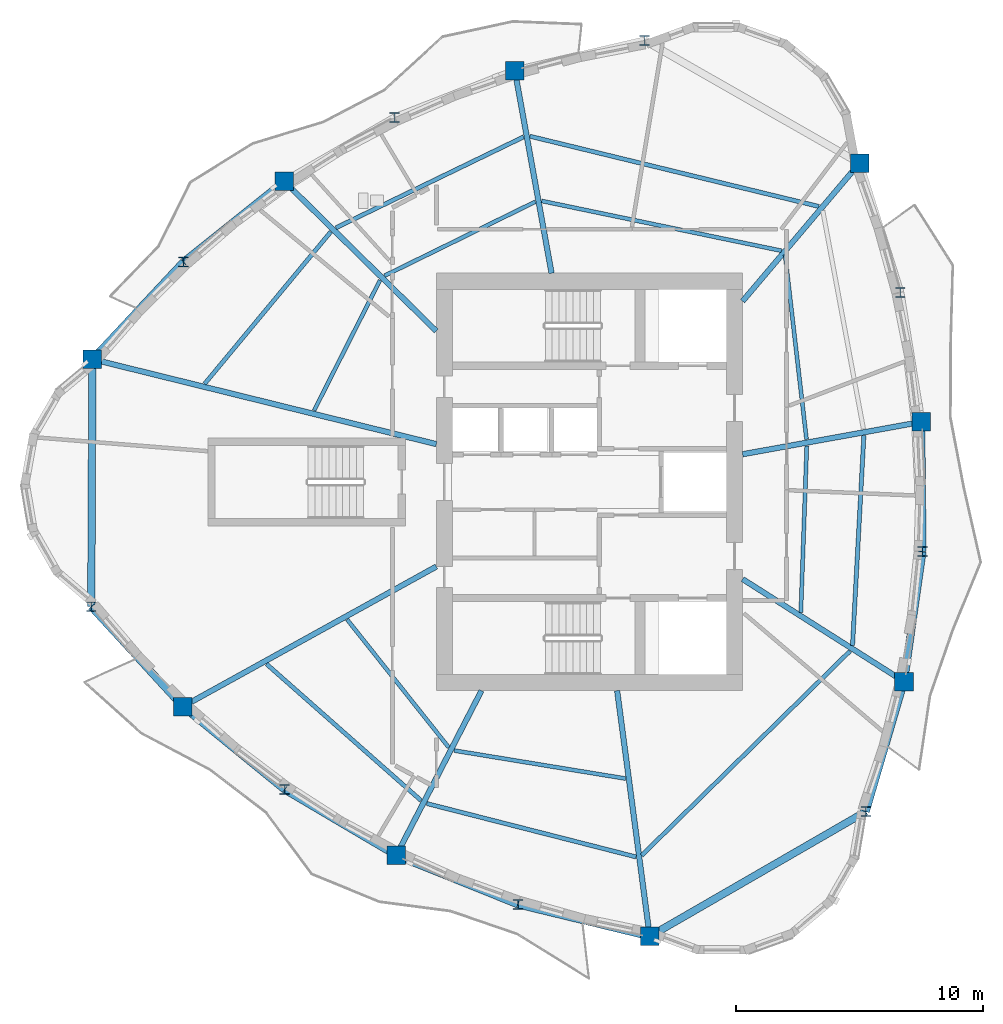
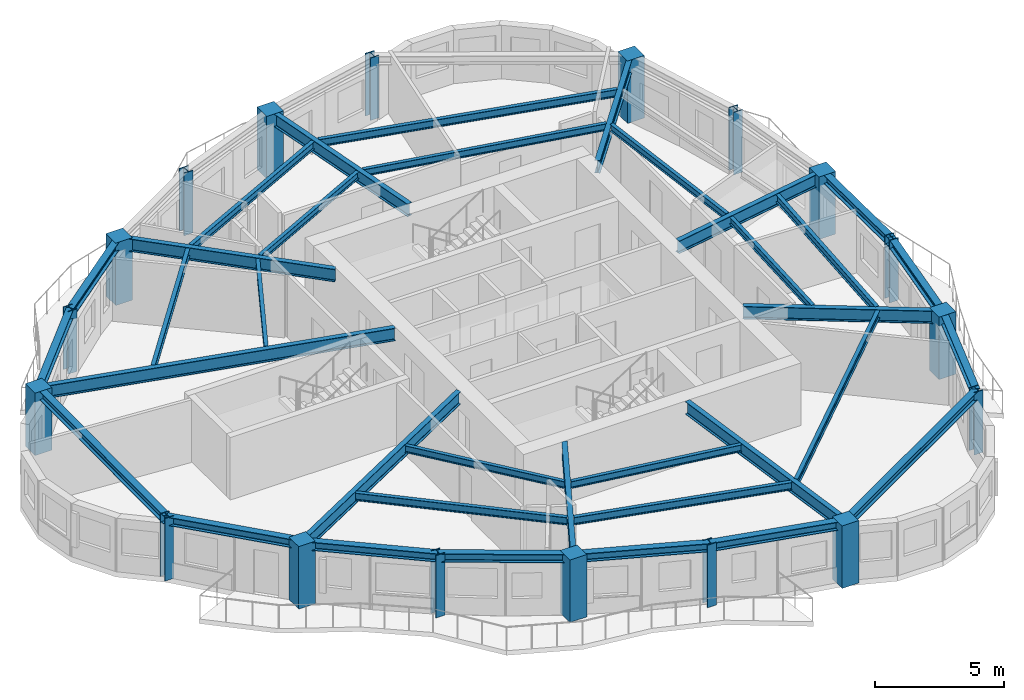
# One storey, part 1 of 11: 35 beams, 18 columns.
"""IFC4 building model written with IfcOpenShell, lengths in metres."""

from ifc_helpers import new_model, si_unit, direction, frame, origin, origin_2d, place, context, subcontext, project, spatial, rectangle, i_section, extrude, source, transform, mapped, material, material_profile, profile_set, type_object, element, save


model = new_model("IFC4")

# Units and contexts
model_context = context("Model", 3, precision=1e-05, world=origin(), true_north=direction((0.0, 1.0)))
body_context = subcontext(model_context, "Body", "Model", "MODEL_VIEW")
ifc_project = project(units=[si_unit("LENGTHUNIT", "METRE"), si_unit("AREAUNIT", "SQUARE_METRE"), si_unit("VOLUMEUNIT", "CUBIC_METRE"), si_unit("PLANEANGLEUNIT", "RADIAN"), si_unit("MASSUNIT", "GRAM", prefix="KILO")], contexts=[model_context])

# Site, building, storey
site_placement = place(None, origin())
site = spatial("IfcSite", under=ifc_project, at=site_placement, CompositionType="ELEMENT")
building_placement = place(site_placement, origin())
building = spatial("IfcBuilding", under=site, at=building_placement, Name="Qafzar Sky-Pleat Residences", CompositionType="ELEMENT")
storey_placement = place(building_placement, frame((0.0, 0.0, 168.199951171875)))
storey = spatial("IfcBuildingStorey", under=building, at=storey_placement, Name="L50", CompositionType="ELEMENT", Elevation=168.199951171875)

# Columns
ifc_material_1 = material(Name="Concrete C60/75", Category="concrete")
ifc_material_profile_1 = material_profile(ifc_material_1, rectangle(XDim=0.75, YDim=0.75, at=origin_2d()), Name="RC 750x750")
ifc_profile_set_1 = profile_set([ifc_material_profile_1], Name="Concrete C60/75")
column_type_1 = type_object("IfcColumnType", Name="COL-RC-750", PredefinedType="COLUMN", material=ifc_profile_set_1)
shared_shape_1 = source(origin(), body_context, "Body", "SweptSolid", [
    extrude(rectangle(XDim=0.75, YDim=0.75, at=origin_2d()), origin(), (0.0, 0.0, 1.0), 2.949951171875),
])
for number, where, z_axis, x_axis, name in (
    (1, (10.228515625, 30.96728515625, 0.0), (0.0, 0.0, 1.0), (1.0, 0.0, 0.0), "L50 Perimeter Mega Column 1"),
    (2, (13.890380859375, 16.905517578125, 0.0), (0.0, 0.0, 1.0), (1.0, 0.0, 0.0), "L50 Perimeter Mega Column 3"),
    (3, (22.528564453125, 10.879150390625, 0.0), (0.0, 0.0, 1.0), (1.0, 0.0, 0.0), "L50 Perimeter Mega Column 5"),
    (4, (32.789794921875, 7.602294921875, 0.0), (0.0, 0.0, 1.0), (1.0, 0.0, 0.0), "L50 Perimeter Mega Column 7"),
    (5, (43.08349609375, 17.91943359375, 0.0), (0.0, 0.0, 1.0), (1.0, 0.0, 0.0), "L50 Perimeter Mega Column 9"),
    (6, (43.77978515625, 28.428955078125, 0.0), (0.0, 0.0, 1.0), (1.0, 0.0, 0.0), "L50 Perimeter Mega Column 11"),
    (7, (41.28369140625, 38.907470703125, 0.0), (0.0, 0.0, 1.0), (1.0, 0.0, 0.0), "L50 Perimeter Mega Column 13"),
    (8, (27.328125, 42.652099609375, 0.0), (0.0, 0.0, 1.0), (1.0, 0.0, 0.0), "L50 Perimeter Mega Column 15"),
    (9, (17.99365234375, 38.168701171875, 0.0), (0.0, 0.0, 1.0), (1.0, 0.0, 0.0), "L50 Perimeter Mega Column 17"),
):
    element("IfcColumn", number, at=place(storey_placement, frame(where, z_axis=z_axis, x_axis=x_axis)), inside=storey, type_object=column_type_1, Name=name, PredefinedType="COLUMN", context=body_context, shape_type="MappedRepresentation", body=[
        mapped(shared_shape_1, transform((0.0, 0.0, 0.0), x_axis=(1.0, 0.0, 0.0), y_axis=(0.0, 1.0, 0.0), z_axis=(0.0, 0.0, 1.0), scale=1.0)),
    ])
ifc_material_2 = material(Name="Steel S355", Category="steel")
ifc_material_profile_2 = material_profile(ifc_material_2, i_section(OverallWidth=0.40087890625, OverallDepth=0.39892578125, WebThickness=0.02294921875, FlangeThickness=0.035888671875, FilletRadius=0.014892578125, at=origin_2d()), Name="HD 400x314")
ifc_profile_set_2 = profile_set([ifc_material_profile_2], Name="Steel S355")
column_type_2 = type_object("IfcColumnType", Name="COL-STL-HD314", PredefinedType="PILASTER", material=ifc_profile_set_2)
shared_shape_2 = source(origin(), body_context, "Body", "SweptSolid", [
    extrude(i_section(OverallWidth=0.40087890625, OverallDepth=0.39892578125, WebThickness=0.02294921875, FlangeThickness=0.035888671875, FilletRadius=0.014892578125, at=origin_2d()), origin(), (0.0, 0.0, 1.0), 2.949951171875),
])
for number, where, z_axis, x_axis, name in (
    (10, (10.179931640625, 20.94970703125, 0.0), (0.0, 0.0, 1.0), (1.0, 0.0, 0.0), "L50 Perimeter Mega Column 2"),
    (11, (18.006591796875, 13.548583984375, 0.0), (0.0, 0.0, 1.0), (1.0, 0.0, 0.0), "L50 Perimeter Mega Column 4"),
    (12, (27.456298828125, 8.897216796875, 0.0), (0.0, 0.0, 1.0), (1.0, 0.0, 0.0), "L50 Perimeter Mega Column 6"),
    (13, (41.5380859375, 12.653076171875, 0.0), (0.0, 0.0, 1.0), (1.0, 0.0, 0.0), "L50 Perimeter Mega Column 8"),
    (14, (43.830810546875, 23.177978515625, 0.0), (0.0, 0.0, 1.0), (1.0, 0.0, 0.0), "L50 Perimeter Mega Column 10"),
    (15, (42.930908203125, 33.672119140625, 0.0), (0.0, 0.0, 1.0), (1.0, 0.0, 0.0), "L50 Perimeter Mega Column 12"),
    (16, (32.583984375, 43.874267578125, 0.0), (0.0, 0.0, 1.0), (1.0, 0.0, 0.0), "L50 Perimeter Mega Column 14"),
    (17, (22.464599609375, 40.750244140625, 0.0), (0.0, 0.0, 1.0), (1.0, 0.0, 0.0), "L50 Perimeter Mega Column 16"),
    (18, (13.914794921875, 34.90771484375, 0.0), (0.0, 0.0, 1.0), (1.0, 0.0, 0.0), "L50 Perimeter Mega Column 18"),
):
    element("IfcColumn", number, at=place(storey_placement, frame(where, z_axis=z_axis, x_axis=x_axis)), inside=storey, type_object=column_type_2, Name=name, PredefinedType="PILASTER", context=body_context, shape_type="MappedRepresentation", body=[
        mapped(shared_shape_2, transform((0.0, 0.0, 0.0), x_axis=(1.0, 0.0, 0.0), y_axis=(0.0, 1.0, 0.0), z_axis=(0.0, 0.0, 1.0), scale=1.0)),
    ])

# Beams
ifc_material_profile_3 = material_profile(ifc_material_2, i_section(OverallWidth=0.300048828125, OverallDepth=0.39990234375, WebThickness=0.013427734375, FlangeThickness=0.02392578125, FilletRadius=0.027099609375, at=origin_2d()), Name="HEB 400")
ifc_profile_set_3 = profile_set([ifc_material_profile_3], Name="Steel S355")
beam_type_1 = type_object("IfcBeamType", Name="BM-SPAN-HEB400", PredefinedType="SPANDREL", material=ifc_profile_set_3)
shared_shape_3 = source(origin(), body_context, "Body", "SweptSolid", [
    extrude(i_section(OverallWidth=0.300048828125, OverallDepth=0.39990234375, WebThickness=0.013427734375, FlangeThickness=0.02392578125, FilletRadius=0.027099609375, at=origin_2d()), origin(), (0.0, 0.0, 1.0), 10.017578125),
])
beam_1_placement = place(storey_placement, frame((10.228515625, 30.96728515625, 2.748046875), z_axis=(-0.004849816233, -0.999988239572, 0.0), x_axis=(0.999988239572, -0.004849816233, 0.0)))
element("IfcBeam", 19, at=beam_1_placement, inside=storey, type_object=beam_type_1, Name="L50 Perimeter Spandrel Beam 1", PredefinedType="SPANDREL", context=body_context, shape_type="MappedRepresentation", body=[
    mapped(shared_shape_3, transform((0.0, 0.0, 0.0), x_axis=(1.0, 0.0, 0.0), y_axis=(0.0, 1.0, 0.0), z_axis=(0.0, 0.0, 1.0), scale=1.0)),
])
shared_shape_4 = source(origin(), body_context, "Body", "SweptSolid", [
    extrude(i_section(OverallWidth=0.300048828125, OverallDepth=0.39990234375, WebThickness=0.013427734375, FlangeThickness=0.02392578125, FilletRadius=0.027099609375, at=origin_2d()), origin(), (0.0, 0.0, 1.0), 5.488525390625),
])
for number, where, z_axis, x_axis, name in (
    (20, (10.179931640625, 20.94970703125, 2.748046875), (0.676048867567, -0.736856789791, 0.0), (0.736856789791, 0.676048867567, 0.0), "L50 Perimeter Spandrel Beam 2"),
    (21, (27.456298828125, 8.897216796875, 2.748046875), (0.971768566723, -0.235936120017, 0.0), (0.235936120017, 0.971768566723, 0.0), "L50 Perimeter Spandrel Beam 6"),
    (22, (41.5380859375, 12.653076171875, 2.748046875), (0.281576235799, 0.959538859783, 0.0), (-0.959538859783, 0.281576235799, 0.0), "L50 Perimeter Spandrel Beam 8"),
):
    element("IfcBeam", number, at=place(storey_placement, frame(where, z_axis=z_axis, x_axis=x_axis)), inside=storey, type_object=beam_type_1, Name=name, PredefinedType="SPANDREL", context=body_context, shape_type="MappedRepresentation", body=[
        mapped(shared_shape_4, transform((0.0, 0.0, 0.0), x_axis=(1.0, 0.0, 0.0), y_axis=(0.0, 1.0, 0.0), z_axis=(0.0, 0.0, 1.0), scale=1.0)),
    ])
shared_shape_5 = source(origin(), body_context, "Body", "SweptSolid", [
    extrude(i_section(OverallWidth=0.300048828125, OverallDepth=0.39990234375, WebThickness=0.013427734375, FlangeThickness=0.02392578125, FilletRadius=0.027099609375, at=origin_2d()), origin(), (0.0, 0.0, 1.0), 5.3115234375),
])
beam_2_placement = place(storey_placement, frame((13.890380859375, 16.905517578125, 2.748046875), z_axis=(0.774959807664, -0.632010519299, 0.0), x_axis=(0.632010519299, 0.774959807664, 0.0)))
element("IfcBeam", 23, at=beam_2_placement, inside=storey, type_object=beam_type_1, Name="L50 Perimeter Spandrel Beam 3", PredefinedType="SPANDREL", context=body_context, shape_type="MappedRepresentation", body=[
    mapped(shared_shape_5, transform((0.0, 0.0, 0.0), x_axis=(1.0, 0.0, 0.0), y_axis=(0.0, 1.0, 0.0), z_axis=(0.0, 0.0, 1.0), scale=1.0)),
])
shared_shape_6 = source(origin(), body_context, "Body", "SweptSolid", [
    extrude(i_section(OverallWidth=0.300048828125, OverallDepth=0.39990234375, WebThickness=0.013427734375, FlangeThickness=0.02392578125, FilletRadius=0.027099609375, at=origin_2d()), origin(), (0.0, 0.0, 1.0), 5.251220703125),
])
for number, where, z_axis, x_axis, name in (
    (24, (18.006591796875, 13.548583984375, 2.748046875), (0.861146738324, -0.508356464574, 0.0), (0.508356464574, 0.861146738324, 0.0), "L50 Perimeter Spandrel Beam 4"),
    (25, (43.830810546875, 23.177978515625, 2.748046875), (-0.009716855736, 0.999952790243, 0.0), (-0.999952790243, -0.009716855736, 0.0), "L50 Perimeter Spandrel Beam 10"),
):
    element("IfcBeam", number, at=place(storey_placement, frame(where, z_axis=z_axis, x_axis=x_axis)), inside=storey, type_object=beam_type_1, Name=name, PredefinedType="SPANDREL", context=body_context, shape_type="MappedRepresentation", body=[
        mapped(shared_shape_6, transform((0.0, 0.0, 0.0), x_axis=(1.0, 0.0, 0.0), y_axis=(0.0, 1.0, 0.0), z_axis=(0.0, 0.0, 1.0), scale=1.0)),
    ])
shared_shape_7 = source(origin(), body_context, "Body", "SweptSolid", [
    extrude(i_section(OverallWidth=0.300048828125, OverallDepth=0.39990234375, WebThickness=0.013427734375, FlangeThickness=0.02392578125, FilletRadius=0.027099609375, at=origin_2d()), origin(), (0.0, 0.0, 1.0), 5.311279296875),
])
for number, where, z_axis, x_axis, name in (
    (26, (22.528564453125, 10.879150390625, 2.748046875), (0.927771273555, -0.373149385589, 0.0), (0.373149385589, 0.927771273555, 0.0), "L50 Perimeter Spandrel Beam 5"),
    (27, (43.08349609375, 17.91943359375, 2.748046875), (0.140700578777, 0.990052194145, 0.0), (-0.990052194145, 0.140700578777, 0.0), "L50 Perimeter Spandrel Beam 9"),
):
    element("IfcBeam", number, at=place(storey_placement, frame(where, z_axis=z_axis, x_axis=x_axis)), inside=storey, type_object=beam_type_1, Name=name, PredefinedType="SPANDREL", context=body_context, shape_type="MappedRepresentation", body=[
        mapped(shared_shape_7, transform((0.0, 0.0, 0.0), x_axis=(1.0, 0.0, 0.0), y_axis=(0.0, 1.0, 0.0), z_axis=(0.0, 0.0, 1.0), scale=1.0)),
    ])
shared_shape_8 = source(origin(), body_context, "Body", "SweptSolid", [
    extrude(i_section(OverallWidth=0.300048828125, OverallDepth=0.39990234375, WebThickness=0.013427734375, FlangeThickness=0.02392578125, FilletRadius=0.027099609375, at=origin_2d()), origin(), (0.0, 0.0, 1.0), 10.1015625),
])
beam_3_placement = place(storey_placement, frame((32.789794921875, 7.602294921875, 2.748046875), z_axis=(0.866027415153, 0.499996516191, 0.0), x_axis=(-0.499996516191, 0.866027415153, 0.0)))
element("IfcBeam", 28, at=beam_3_placement, inside=storey, type_object=beam_type_1, Name="L50 Perimeter Spandrel Beam 7", PredefinedType="SPANDREL", context=body_context, shape_type="MappedRepresentation", body=[
    mapped(shared_shape_8, transform((0.0, 0.0, 0.0), x_axis=(1.0, 0.0, 0.0), y_axis=(0.0, 1.0, 0.0), z_axis=(0.0, 0.0, 1.0), scale=1.0)),
])
shared_shape_9 = source(origin(), body_context, "Body", "SweptSolid", [
    extrude(i_section(OverallWidth=0.300048828125, OverallDepth=0.39990234375, WebThickness=0.013427734375, FlangeThickness=0.02392578125, FilletRadius=0.027099609375, at=origin_2d()), origin(), (0.0, 0.0, 1.0), 5.39599609375),
])
beam_4_placement = place(storey_placement, frame((13.914794921875, 34.90771484375, 2.748046875), z_axis=(-0.683164134037, -0.730264860147, 0.0), x_axis=(0.730264860147, -0.683164134037, 0.0)))
element("IfcBeam", 29, at=beam_4_placement, inside=storey, type_object=beam_type_1, Name="L50 Perimeter Spandrel Beam 18", PredefinedType="SPANDREL", context=body_context, shape_type="MappedRepresentation", body=[
    mapped(shared_shape_9, transform((0.0, 0.0, 0.0), x_axis=(1.0, 0.0, 0.0), y_axis=(0.0, 1.0, 0.0), z_axis=(0.0, 0.0, 1.0), scale=1.0)),
])
shared_shape_10 = source(origin(), body_context, "Body", "SweptSolid", [
    extrude(i_section(OverallWidth=0.300048828125, OverallDepth=0.39990234375, WebThickness=0.013427734375, FlangeThickness=0.02392578125, FilletRadius=0.027099609375, at=origin_2d()), origin(), (0.0, 0.0, 1.0), 5.22216796875),
])
beam_5_placement = place(storey_placement, frame((17.99365234375, 38.168701171875, 2.748046875), z_axis=(-0.781064896086, -0.624449860359, 0.0), x_axis=(0.624449860359, -0.781064896086, 0.0)))
element("IfcBeam", 30, at=beam_5_placement, inside=storey, type_object=beam_type_1, Name="L50 Perimeter Spandrel Beam 17", PredefinedType="SPANDREL", context=body_context, shape_type="MappedRepresentation", body=[
    mapped(shared_shape_10, transform((0.0, 0.0, 0.0), x_axis=(1.0, 0.0, 0.0), y_axis=(0.0, 1.0, 0.0), z_axis=(0.0, 0.0, 1.0), scale=1.0)),
])
ifc_material_profile_4 = material_profile(ifc_material_2, i_section(OverallWidth=0.219970703125, OverallDepth=0.60009765625, WebThickness=0.011962890625, FlangeThickness=0.01904296875, FilletRadius=0.02392578125, at=origin_2d()), Name="IPE 600")
ifc_profile_set_4 = profile_set([ifc_material_profile_4], Name="Steel S355")
beam_type_2 = type_object("IfcBeamType", Name="BM-SEC-IPE600", PredefinedType="BEAM", material=ifc_profile_set_4)
shared_shape_11 = source(origin(), body_context, "Body", "SweptSolid", [
    extrude(i_section(OverallWidth=0.219970703125, OverallDepth=0.60009765625, WebThickness=0.011962890625, FlangeThickness=0.01904296875, FilletRadius=0.02392578125, at=origin_2d()), origin(), (0.0, 0.0, 1.0), 14.33935546875),
])
beam_6_placement = place(storey_placement, frame((10.228515625, 30.96728515625, 2.64794921875), z_axis=(0.970853373053, -0.239674212277, 0.0), x_axis=(0.239674212277, 0.970853373053, 0.0)))
element("IfcBeam", 31, at=beam_6_placement, inside=storey, type_object=beam_type_2, Name="L50 Radial Floor Girder 1", PredefinedType="BEAM", context=body_context, shape_type="MappedRepresentation", body=[
    mapped(shared_shape_11, transform((0.0, 0.0, 0.0), x_axis=(1.0, 0.0, 0.0), y_axis=(0.0, 1.0, 0.0), z_axis=(0.0, 0.0, 1.0), scale=1.0)),
])
shared_shape_12 = source(origin(), body_context, "Body", "SweptSolid", [
    extrude(i_section(OverallWidth=0.219970703125, OverallDepth=0.60009765625, WebThickness=0.011962890625, FlangeThickness=0.01904296875, FilletRadius=0.02392578125, at=origin_2d()), origin(), (0.0, 0.0, 1.0), 11.721435546875),
])
beam_7_placement = place(storey_placement, frame((13.890380859375, 16.905517578125, 2.64794921875), z_axis=(0.875278891654, 0.483618508563, 0.0), x_axis=(-0.483618508563, 0.875278891654, 0.0)))
element("IfcBeam", 32, at=beam_7_placement, inside=storey, type_object=beam_type_2, Name="L50 Radial Floor Girder 3", PredefinedType="BEAM", context=body_context, shape_type="MappedRepresentation", body=[
    mapped(shared_shape_12, transform((0.0, 0.0, 0.0), x_axis=(1.0, 0.0, 0.0), y_axis=(0.0, 1.0, 0.0), z_axis=(0.0, 0.0, 1.0), scale=1.0)),
])
shared_shape_13 = source(origin(), body_context, "Body", "SweptSolid", [
    extrude(i_section(OverallWidth=0.219970703125, OverallDepth=0.60009765625, WebThickness=0.011962890625, FlangeThickness=0.01904296875, FilletRadius=0.02392578125, at=origin_2d()), origin(), (0.0, 0.0, 1.0), 7.510498046875),
])
beam_8_placement = place(storey_placement, frame((22.528564453125, 10.879150390625, 2.64794921875), z_axis=(0.459420265868, 0.888219015395, 0.0), x_axis=(-0.888219015395, 0.459420265868, 0.0)))
element("IfcBeam", 33, at=beam_8_placement, inside=storey, type_object=beam_type_2, Name="L50 Radial Floor Girder 5", PredefinedType="BEAM", context=body_context, shape_type="MappedRepresentation", body=[
    mapped(shared_shape_13, transform((0.0, 0.0, 0.0), x_axis=(1.0, 0.0, 0.0), y_axis=(0.0, 1.0, 0.0), z_axis=(0.0, 0.0, 1.0), scale=1.0)),
])
shared_shape_14 = source(origin(), body_context, "Body", "SweptSolid", [
    extrude(i_section(OverallWidth=0.219970703125, OverallDepth=0.60009765625, WebThickness=0.011962890625, FlangeThickness=0.01904296875, FilletRadius=0.02392578125, at=origin_2d()), origin(), (0.0, 0.0, 1.0), 10.034912109375),
])
beam_9_placement = place(storey_placement, frame((32.789794921875, 7.602294921875, 2.64794921875), z_axis=(-0.131451336112, 0.991322624696, 0.0), x_axis=(-0.991322624696, -0.131451336112, 0.0)))
element("IfcBeam", 34, at=beam_9_placement, inside=storey, type_object=beam_type_2, Name="L50 Radial Floor Girder 7", PredefinedType="BEAM", context=body_context, shape_type="MappedRepresentation", body=[
    mapped(shared_shape_14, transform((0.0, 0.0, 0.0), x_axis=(1.0, 0.0, 0.0), y_axis=(0.0, 1.0, 0.0), z_axis=(0.0, 0.0, 1.0), scale=1.0)),
])
shared_shape_15 = source(origin(), body_context, "Body", "SweptSolid", [
    extrude(i_section(OverallWidth=0.219970703125, OverallDepth=0.60009765625, WebThickness=0.011962890625, FlangeThickness=0.01904296875, FilletRadius=0.02392578125, at=origin_2d()), origin(), (0.0, 0.0, 1.0), 7.73779296875),
])
beam_10_placement = place(storey_placement, frame((43.08349609375, 17.91943359375, 2.64794921875), z_axis=(-0.84434287058, 0.535803244579, 0.0), x_axis=(-0.535803244579, -0.84434287058, 0.0)))
element("IfcBeam", 35, at=beam_10_placement, inside=storey, type_object=beam_type_2, Name="L50 Radial Floor Girder 9", PredefinedType="BEAM", context=body_context, shape_type="MappedRepresentation", body=[
    mapped(shared_shape_15, transform((0.0, 0.0, 0.0), x_axis=(1.0, 0.0, 0.0), y_axis=(0.0, 1.0, 0.0), z_axis=(0.0, 0.0, 1.0), scale=1.0)),
])
shared_shape_16 = source(origin(), body_context, "Body", "SweptSolid", [
    extrude(i_section(OverallWidth=0.219970703125, OverallDepth=0.60009765625, WebThickness=0.011962890625, FlangeThickness=0.01904296875, FilletRadius=0.02392578125, at=origin_2d()), origin(), (0.0, 0.0, 1.0), 7.346923828125),
])
beam_11_placement = place(storey_placement, frame((43.77978515625, 28.428955078125, 2.64794921875), z_axis=(-0.984034312333, -0.1779788531, 0.0), x_axis=(0.1779788531, -0.984034312333, 0.0)))
element("IfcBeam", 36, at=beam_11_placement, inside=storey, type_object=beam_type_2, Name="L50 Radial Floor Girder 11", PredefinedType="BEAM", context=body_context, shape_type="MappedRepresentation", body=[
    mapped(shared_shape_16, transform((0.0, 0.0, 0.0), x_axis=(1.0, 0.0, 0.0), y_axis=(0.0, 1.0, 0.0), z_axis=(0.0, 0.0, 1.0), scale=1.0)),
])
shared_shape_17 = source(origin(), body_context, "Body", "SweptSolid", [
    extrude(i_section(OverallWidth=0.219970703125, OverallDepth=0.60009765625, WebThickness=0.011962890625, FlangeThickness=0.01904296875, FilletRadius=0.02392578125, at=origin_2d()), origin(), (0.0, 0.0, 1.0), 7.32373046875),
])
beam_12_placement = place(storey_placement, frame((41.28369140625, 38.907470703125, 2.64794921875), z_axis=(-0.646341144155, -0.763048573403, 0.0), x_axis=(0.763048573403, -0.646341144155, 0.0)))
element("IfcBeam", 37, at=beam_12_placement, inside=storey, type_object=beam_type_2, Name="L50 Radial Floor Girder 13", PredefinedType="BEAM", context=body_context, shape_type="MappedRepresentation", body=[
    mapped(shared_shape_17, transform((0.0, 0.0, 0.0), x_axis=(1.0, 0.0, 0.0), y_axis=(0.0, 1.0, 0.0), z_axis=(0.0, 0.0, 1.0), scale=1.0)),
])
shared_shape_18 = source(origin(), body_context, "Body", "SweptSolid", [
    extrude(i_section(OverallWidth=0.219970703125, OverallDepth=0.60009765625, WebThickness=0.011962890625, FlangeThickness=0.01904296875, FilletRadius=0.02392578125, at=origin_2d()), origin(), (0.0, 0.0, 1.0), 8.336181640625),
])
beam_13_placement = place(storey_placement, frame((27.328125, 42.652099609375, 2.64794921875), z_axis=(0.178534917352, -0.983933576664, 0.0), x_axis=(0.983933576664, 0.178534917352, 0.0)))
element("IfcBeam", 38, at=beam_13_placement, inside=storey, type_object=beam_type_2, Name="L50 Radial Floor Girder 15", PredefinedType="BEAM", context=body_context, shape_type="MappedRepresentation", body=[
    mapped(shared_shape_18, transform((0.0, 0.0, 0.0), x_axis=(1.0, 0.0, 0.0), y_axis=(0.0, 1.0, 0.0), z_axis=(0.0, 0.0, 1.0), scale=1.0)),
])
shared_shape_19 = source(origin(), body_context, "Body", "SweptSolid", [
    extrude(i_section(OverallWidth=0.219970703125, OverallDepth=0.60009765625, WebThickness=0.011962890625, FlangeThickness=0.01904296875, FilletRadius=0.02392578125, at=origin_2d()), origin(), (0.0, 0.0, 1.0), 8.640380859375),
])
beam_14_placement = place(storey_placement, frame((17.99365234375, 38.168701171875, 2.64794921875), z_axis=(0.712497054337, -0.701675101141, 0.0), x_axis=(0.701675101141, 0.712497054337, 0.0)))
element("IfcBeam", 39, at=beam_14_placement, inside=storey, type_object=beam_type_2, Name="L50 Radial Floor Girder 17", PredefinedType="BEAM", context=body_context, shape_type="MappedRepresentation", body=[
    mapped(shared_shape_19, transform((0.0, 0.0, 0.0), x_axis=(1.0, 0.0, 0.0), y_axis=(0.0, 1.0, 0.0), z_axis=(0.0, 0.0, 1.0), scale=1.0)),
])
ifc_material_profile_5 = material_profile(ifc_material_2, i_section(OverallWidth=0.169921875, OverallDepth=0.360107421875, WebThickness=0.008056640625, FlangeThickness=0.0126953125, FilletRadius=0.01806640625, at=origin_2d()), Name="IPE 360")
ifc_profile_set_5 = profile_set([ifc_material_profile_5], Name="Steel S355")
beam_type_3 = type_object("IfcBeamType", Name="BM-JST-IPE360", PredefinedType="JOIST", material=ifc_profile_set_5)
shared_shape_20 = source(origin(), body_context, "Body", "SweptSolid", [
    extrude(i_section(OverallWidth=0.169921875, OverallDepth=0.360107421875, WebThickness=0.008056640625, FlangeThickness=0.0126953125, FilletRadius=0.01806640625, at=origin_2d()), origin(), (0.0, 0.0, 1.0), 8.348388671875),
])
beam_15_placement = place(storey_placement, frame((17.274658203125, 18.630126953125, 2.76806640625), z_axis=(0.74947417914, -0.662033575284, 0.0), x_axis=(0.662033575284, 0.74947417914, 0.0)))
element("IfcBeam", 40, at=beam_15_placement, inside=storey, type_object=beam_type_3, Name="L50 Outer Secondary Floor Joist 2", PredefinedType="JOIST", context=body_context, shape_type="MappedRepresentation", body=[
    mapped(shared_shape_20, transform((0.0, 0.0, 0.0), x_axis=(1.0, 0.0, 0.0), y_axis=(0.0, 1.0, 0.0), z_axis=(0.0, 0.0, 1.0), scale=1.0)),
])
shared_shape_21 = source(origin(), body_context, "Body", "SweptSolid", [
    extrude(i_section(OverallWidth=0.169921875, OverallDepth=0.360107421875, WebThickness=0.008056640625, FlangeThickness=0.0126953125, FilletRadius=0.01806640625, at=origin_2d()), origin(), (0.0, 0.0, 1.0), 8.74462890625),
])
beam_16_placement = place(storey_placement, frame((23.763671875, 12.98046875, 2.76806640625), z_axis=(0.968965249171, -0.247196977933, 0.0), x_axis=(0.247196977933, 0.968965249171, 0.0)))
element("IfcBeam", 41, at=beam_16_placement, inside=storey, type_object=beam_type_3, Name="L50 Outer Secondary Floor Joist 3", PredefinedType="JOIST", context=body_context, shape_type="MappedRepresentation", body=[
    mapped(shared_shape_21, transform((0.0, 0.0, 0.0), x_axis=(1.0, 0.0, 0.0), y_axis=(0.0, 1.0, 0.0), z_axis=(0.0, 0.0, 1.0), scale=1.0)),
])
shared_shape_22 = source(origin(), body_context, "Body", "SweptSolid", [
    extrude(i_section(OverallWidth=0.169921875, OverallDepth=0.360107421875, WebThickness=0.008056640625, FlangeThickness=0.0126953125, FilletRadius=0.01806640625, at=origin_2d()), origin(), (0.0, 0.0, 1.0), 11.811767578125),
])
beam_17_placement = place(storey_placement, frame((32.464111328125, 10.880126953125, 2.76806640625), z_axis=(0.713874262527, 0.700273901628, 0.0), x_axis=(-0.700273901628, 0.713874262527, 0.0)))
element("IfcBeam", 42, at=beam_17_placement, inside=storey, type_object=beam_type_3, Name="L50 Outer Secondary Floor Joist 4", PredefinedType="JOIST", context=body_context, shape_type="MappedRepresentation", body=[
    mapped(shared_shape_22, transform((0.0, 0.0, 0.0), x_axis=(1.0, 0.0, 0.0), y_axis=(0.0, 1.0, 0.0), z_axis=(0.0, 0.0, 1.0), scale=1.0)),
])
shared_shape_23 = source(origin(), body_context, "Body", "SweptSolid", [
    extrude(i_section(OverallWidth=0.169921875, OverallDepth=0.360107421875, WebThickness=0.008056640625, FlangeThickness=0.0126953125, FilletRadius=0.01806640625, at=origin_2d()), origin(), (0.0, 0.0, 1.0), 8.507080078125),
])
beam_18_placement = place(storey_placement, frame((41.0, 19.381103515625, 2.76806640625), z_axis=(0.05395360332, 0.998543443566, 0.0), x_axis=(-0.998543443566, 0.05395360332, 0.0)))
element("IfcBeam", 43, at=beam_18_placement, inside=storey, type_object=beam_type_3, Name="L50 Outer Secondary Floor Joist 5", PredefinedType="JOIST", context=body_context, shape_type="MappedRepresentation", body=[
    mapped(shared_shape_23, transform((0.0, 0.0, 0.0), x_axis=(1.0, 0.0, 0.0), y_axis=(0.0, 1.0, 0.0), z_axis=(0.0, 0.0, 1.0), scale=1.0)),
])
shared_shape_24 = source(origin(), body_context, "Body", "SweptSolid", [
    extrude(i_section(OverallWidth=0.169921875, OverallDepth=0.360107421875, WebThickness=0.008056640625, FlangeThickness=0.0126953125, FilletRadius=0.01806640625, at=origin_2d()), origin(), (0.0, 0.0, 1.0), 12.04296875),
])
beam_19_placement = place(storey_placement, frame((39.6376953125, 37.151123046875, 2.76806640625), z_axis=(-0.971705465464, 0.236195868692, 0.0), x_axis=(-0.236195868692, -0.971705465464, 0.0)))
element("IfcBeam", 44, at=beam_19_placement, inside=storey, type_object=beam_type_3, Name="L50 Outer Secondary Floor Joist 7", PredefinedType="JOIST", context=body_context, shape_type="MappedRepresentation", body=[
    mapped(shared_shape_24, transform((0.0, 0.0, 0.0), x_axis=(1.0, 0.0, 0.0), y_axis=(0.0, 1.0, 0.0), z_axis=(0.0, 0.0, 1.0), scale=1.0)),
])
shared_shape_25 = source(origin(), body_context, "Body", "SweptSolid", [
    extrude(i_section(OverallWidth=0.169921875, OverallDepth=0.360107421875, WebThickness=0.008056640625, FlangeThickness=0.0126953125, FilletRadius=0.01806640625, at=origin_2d()), origin(), (0.0, 0.0, 1.0), 8.4423828125),
])
beam_20_placement = place(storey_placement, frame((27.682861328125, 39.968505859375, 2.76806640625), z_axis=(-0.899944447628, -0.436004577021, 0.0), x_axis=(0.436004577021, -0.899944447628, 0.0)))
element("IfcBeam", 45, at=beam_20_placement, inside=storey, type_object=beam_type_3, Name="L50 Outer Secondary Floor Joist 8", PredefinedType="JOIST", context=body_context, shape_type="MappedRepresentation", body=[
    mapped(shared_shape_25, transform((0.0, 0.0, 0.0), x_axis=(1.0, 0.0, 0.0), y_axis=(0.0, 1.0, 0.0), z_axis=(0.0, 0.0, 1.0), scale=1.0)),
])
shared_shape_26 = source(origin(), body_context, "Body", "SweptSolid", [
    extrude(i_section(OverallWidth=0.169921875, OverallDepth=0.360107421875, WebThickness=0.008056640625, FlangeThickness=0.0126953125, FilletRadius=0.01806640625, at=origin_2d()), origin(), (0.0, 0.0, 1.0), 7.997314453125),
])
beam_21_placement = place(storey_placement, frame((19.87744140625, 36.124755859375, 2.76806640625), z_axis=(-0.638702862471, -0.769453477133, 0.0), x_axis=(0.769453477133, -0.638702862471, 0.0)))
element("IfcBeam", 46, at=beam_21_placement, inside=storey, type_object=beam_type_3, Name="L50 Outer Secondary Floor Joist 9", PredefinedType="JOIST", context=body_context, shape_type="MappedRepresentation", body=[
    mapped(shared_shape_26, transform((0.0, 0.0, 0.0), x_axis=(1.0, 0.0, 0.0), y_axis=(0.0, 1.0, 0.0), z_axis=(0.0, 0.0, 1.0), scale=1.0)),
])
ifc_material_profile_6 = material_profile(ifc_material_2, i_section(OverallWidth=0.159912109375, OverallDepth=0.330078125, WebThickness=0.007568359375, FlangeThickness=0.011474609375, FilletRadius=0.01806640625, at=origin_2d()), Name="IPE 330")
ifc_profile_set_6 = profile_set([ifc_material_profile_6], Name="Steel S355")
beam_type_4 = type_object("IfcBeamType", Name="BM-JST-IPE330", PredefinedType="JOIST", material=ifc_profile_set_6)
shared_shape_27 = source(origin(), body_context, "Body", "SweptSolid", [
    extrude(i_section(OverallWidth=0.159912109375, OverallDepth=0.330078125, WebThickness=0.007568359375, FlangeThickness=0.011474609375, FilletRadius=0.01806640625, at=origin_2d()), origin(), (0.0, 0.0, 1.0), 6.609130859375),
])
beam_22_placement = place(storey_placement, frame((20.54052734375, 20.427978515625, 2.782958984375), z_axis=(0.622223229202, -0.782839864239, 0.0), x_axis=(0.782839864239, 0.622223229202, 0.0)))
element("IfcBeam", 47, at=beam_22_placement, inside=storey, type_object=beam_type_4, Name="L50 Inner Secondary Floor Joist 2", PredefinedType="JOIST", context=body_context, shape_type="MappedRepresentation", body=[
    mapped(shared_shape_27, transform((0.0, 0.0, 0.0), x_axis=(1.0, 0.0, 0.0), y_axis=(0.0, 1.0, 0.0), z_axis=(0.0, 0.0, 1.0), scale=1.0)),
])
shared_shape_28 = source(origin(), body_context, "Body", "SweptSolid", [
    extrude(i_section(OverallWidth=0.159912109375, OverallDepth=0.330078125, WebThickness=0.007568359375, FlangeThickness=0.011474609375, FilletRadius=0.01806640625, at=origin_2d()), origin(), (0.0, 0.0, 1.0), 7.034423828125),
])
beam_23_placement = place(storey_placement, frame((24.8701171875, 15.126708984375, 2.782958984375), z_axis=(0.986869051238, -0.161522369068, 0.0), x_axis=(0.161522369068, 0.986869051238, 0.0)))
element("IfcBeam", 48, at=beam_23_placement, inside=storey, type_object=beam_type_4, Name="L50 Inner Secondary Floor Joist 3", PredefinedType="JOIST", context=body_context, shape_type="MappedRepresentation", body=[
    mapped(shared_shape_28, transform((0.0, 0.0, 0.0), x_axis=(1.0, 0.0, 0.0), y_axis=(0.0, 1.0, 0.0), z_axis=(0.0, 0.0, 1.0), scale=1.0)),
])
shared_shape_29 = source(origin(), body_context, "Body", "SweptSolid", [
    extrude(i_section(OverallWidth=0.159912109375, OverallDepth=0.330078125, WebThickness=0.007568359375, FlangeThickness=0.011474609375, FilletRadius=0.01806640625, at=origin_2d()), origin(), (0.0, 0.0, 1.0), 6.753662109375),
])
beam_24_placement = place(storey_placement, frame((38.90673828125, 20.707763671875, 2.782958984375), z_axis=(0.035716029493, 0.999361979083, 0.0), x_axis=(-0.999361979083, 0.035716029493, 0.0)))
element("IfcBeam", 49, at=beam_24_placement, inside=storey, type_object=beam_type_4, Name="L50 Inner Secondary Floor Joist 5", PredefinedType="JOIST", context=body_context, shape_type="MappedRepresentation", body=[
    mapped(shared_shape_29, transform((0.0, 0.0, 0.0), x_axis=(1.0, 0.0, 0.0), y_axis=(0.0, 1.0, 0.0), z_axis=(0.0, 0.0, 1.0), scale=1.0)),
])
shared_shape_30 = source(origin(), body_context, "Body", "SweptSolid", [
    extrude(i_section(OverallWidth=0.159912109375, OverallDepth=0.330078125, WebThickness=0.007568359375, FlangeThickness=0.011474609375, FilletRadius=0.01806640625, at=origin_2d()), origin(), (0.0, 0.0, 1.0), 7.521240234375),
])
beam_25_placement = place(storey_placement, frame((39.13720703125, 27.72607421875, 2.782958984375), z_axis=(-0.115332525594, 0.993326939401, 0.0), x_axis=(-0.993326939401, -0.115332525594, 0.0)))
element("IfcBeam", 50, at=beam_25_placement, inside=storey, type_object=beam_type_4, Name="L50 Inner Secondary Floor Joist 6", PredefinedType="JOIST", context=body_context, shape_type="MappedRepresentation", body=[
    mapped(shared_shape_30, transform((0.0, 0.0, 0.0), x_axis=(1.0, 0.0, 0.0), y_axis=(0.0, 1.0, 0.0), z_axis=(0.0, 0.0, 1.0), scale=1.0)),
])
shared_shape_31 = source(origin(), body_context, "Body", "SweptSolid", [
    extrude(i_section(OverallWidth=0.159912109375, OverallDepth=0.330078125, WebThickness=0.007568359375, FlangeThickness=0.011474609375, FilletRadius=0.01806640625, at=origin_2d()), origin(), (0.0, 0.0, 1.0), 9.91650390625),
])
beam_26_placement = place(storey_placement, frame((38.1220703125, 35.3583984375, 2.782958984375), z_axis=(-0.979099254945, 0.203383010513, 0.0), x_axis=(-0.203383010513, -0.979099254945, 0.0)))
element("IfcBeam", 51, at=beam_26_placement, inside=storey, type_object=beam_type_4, Name="L50 Inner Secondary Floor Joist 7", PredefinedType="JOIST", context=body_context, shape_type="MappedRepresentation", body=[
    mapped(shared_shape_31, transform((0.0, 0.0, 0.0), x_axis=(1.0, 0.0, 0.0), y_axis=(0.0, 1.0, 0.0), z_axis=(0.0, 0.0, 1.0), scale=1.0)),
])
shared_shape_32 = source(origin(), body_context, "Body", "SweptSolid", [
    extrude(i_section(OverallWidth=0.159912109375, OverallDepth=0.330078125, WebThickness=0.007568359375, FlangeThickness=0.011474609375, FilletRadius=0.01806640625, at=origin_2d()), origin(), (0.0, 0.0, 1.0), 6.7998046875),
])
beam_27_placement = place(storey_placement, frame((28.159423828125, 37.34326171875, 2.782958984375), z_axis=(-0.897748422934, -0.440508534673, 0.0), x_axis=(0.440508534673, -0.897748422934, 0.0)))
element("IfcBeam", 52, at=beam_27_placement, inside=storey, type_object=beam_type_4, Name="L50 Inner Secondary Floor Joist 8", PredefinedType="JOIST", context=body_context, shape_type="MappedRepresentation", body=[
    mapped(shared_shape_32, transform((0.0, 0.0, 0.0), x_axis=(1.0, 0.0, 0.0), y_axis=(0.0, 1.0, 0.0), z_axis=(0.0, 0.0, 1.0), scale=1.0)),
])
shared_shape_33 = source(origin(), body_context, "Body", "SweptSolid", [
    extrude(i_section(OverallWidth=0.159912109375, OverallDepth=0.330078125, WebThickness=0.007568359375, FlangeThickness=0.011474609375, FilletRadius=0.01806640625, at=origin_2d()), origin(), (0.0, 0.0, 1.0), 5.91845703125),
])
beam_28_placement = place(storey_placement, frame((21.872802734375, 34.168212890625, 2.782958984375), z_axis=(-0.451745508598, -0.892146846355, 0.0), x_axis=(0.892146846355, -0.451745508598, 0.0)))
element("IfcBeam", 53, at=beam_28_placement, inside=storey, type_object=beam_type_4, Name="L50 Inner Secondary Floor Joist 9", PredefinedType="JOIST", context=body_context, shape_type="MappedRepresentation", body=[
    mapped(shared_shape_33, transform((0.0, 0.0, 0.0), x_axis=(1.0, 0.0, 0.0), y_axis=(0.0, 1.0, 0.0), z_axis=(0.0, 0.0, 1.0), scale=1.0)),
])

save(model, "model.ifc")
